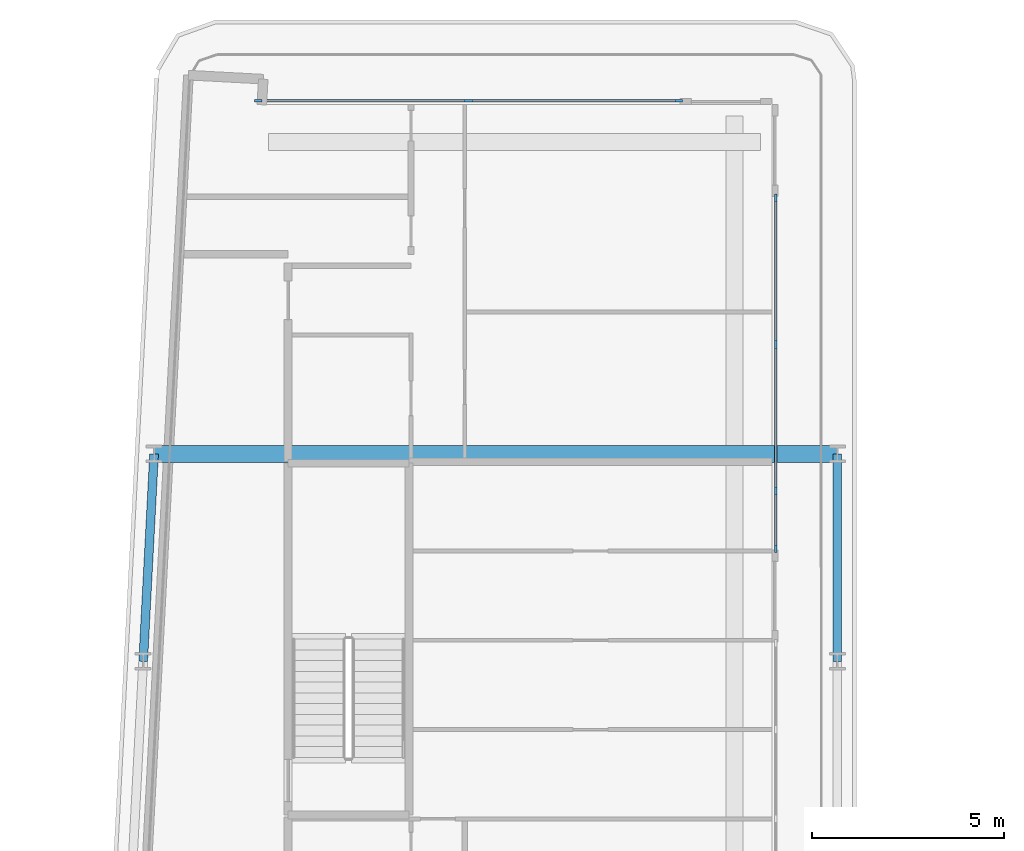
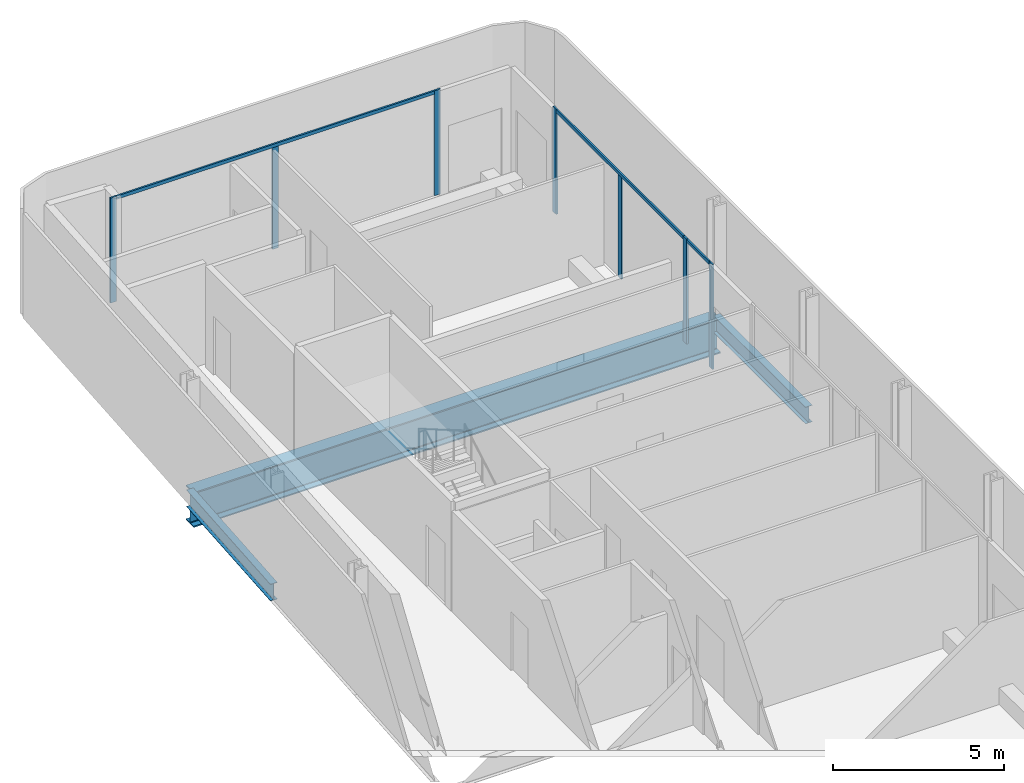
# One storey, part 9 of 28: 10 members, 3 beams, 3 elements without a shape of their own.
"""IFC4 building model written with IfcOpenShell, lengths in metres."""

from ifc_helpers import new_model, si_unit, direction, frame, origin, origin_2d, place, context, subcontext, project, spatial, rectangle, i_section, extrude, material, layer, layer_set, material_profile, profile_set, type_object, element, aggregate, save


model = new_model("IFC4")

# Units and contexts
model_context = context("Model", 3, precision=1e-05, world=origin(), true_north=direction((0.0, 1.0)))
body_context = subcontext(model_context, "Body", "Model", "MODEL_VIEW")
ifc_project = project(units=[si_unit("LENGTHUNIT", "METRE"), si_unit("AREAUNIT", "SQUARE_METRE"), si_unit("VOLUMEUNIT", "CUBIC_METRE"), si_unit("PLANEANGLEUNIT", "RADIAN"), si_unit("MASSUNIT", "GRAM", prefix="KILO")], contexts=[model_context])

# Site, building, storey
site_placement = place(None, origin())
site = spatial("IfcSite", under=ifc_project, at=site_placement, CompositionType="ELEMENT")
building_placement = place(site_placement, origin())
building = spatial("IfcBuilding", under=site, at=building_placement, Name="Kheshtan School and Residences Tower", CompositionType="ELEMENT")
storey_placement = place(building_placement, frame((0.0, 0.0, 129.199951171875)))
storey = spatial("IfcBuildingStorey", under=building, at=storey_placement, Name="L30", CompositionType="ELEMENT", Elevation=129.199951171875)

# Beams
ifc_material_1 = material(Name="Steel ASTM A992 Grade 50", Category="steel")
ifc_material_profile_1 = material_profile(ifc_material_1, i_section(OverallWidth=0.22802734375, OverallDepth=0.60302734375, WebThickness=0.010498046875, FlangeThickness=0.014892578125, FilletRadius=0.013427734375, at=origin_2d()), Name="W610x101")
ifc_profile_set_1 = profile_set([ifc_material_profile_1], Name="Steel ASTM A992 Grade 50")
beam_type_1 = type_object("IfcBeamType", Name="Beam SP2 W610x101 ASTM A992 Grade 50", PredefinedType="BEAM", material=ifc_profile_set_1)
beam_1_placement = place(storey_placement, frame((47.60009765625, 88.800048828125, -0.451416015625), z_axis=(0.0, -1.0, 0.0), x_axis=(1.0, 0.0, 0.0)))
element("IfcBeam", 1, at=beam_1_placement, inside=storey, type_object=beam_type_1, Name="Spandrel beam C099-C091", PredefinedType="BEAM", context=body_context, shape_type="SweptSolid", body=[
    extrude(i_section(OverallWidth=0.22802734375, OverallDepth=0.60302734375, WebThickness=0.010498046875, FlangeThickness=0.014892578125, FilletRadius=0.013427734375, at=origin_2d()), origin(), (0.0, 0.0, 1.0), 5.400146484375),
])
beam_2_placement = place(storey_placement, frame((29.527099609375, 83.39990234375, -0.451416015625), z_axis=(0.05250670125, 0.998620571751, 0.0), x_axis=(-0.998620571751, 0.05250670125, 0.0)))
element("IfcBeam", 2, at=beam_2_placement, inside=storey, type_object=beam_type_1, Name="Spandrel beam C090-C098", PredefinedType="BEAM", context=body_context, shape_type="SweptSolid", body=[
    extrude(i_section(OverallWidth=0.22802734375, OverallDepth=0.60302734375, WebThickness=0.010498046875, FlangeThickness=0.014892578125, FilletRadius=0.013427734375, at=origin_2d()), origin(), (0.0, 0.0, 1.0), 5.40771484375),
])

# Curtain wall, members
ifc_material_2 = material(Name="Clear low-e glass in thermally broken aluminium frame", Category="aluminium")
ifc_layer = layer(ifc_material_2, 0.199951171875)
ifc_layer_set = layer_set([ifc_layer], Name="Curtain wall CW-L")
curtain_wall_type = type_object("IfcCurtainWallType", Name="Curtain wall CW-L", PredefinedType="NOTDEFINED", material=ifc_layer_set)
curtain_wall_1_placement = place(storey_placement, origin())
curtain_wall_1 = element("IfcCurtainWall", 3, at=curtain_wall_1_placement, inside=storey, type_object=curtain_wall_type, Name="Curtain wall CWL7", PredefinedType="NOTDEFINED")
ifc_material_3 = material(Name="Thermally broken aluminium, dark bronze anodised", Category="aluminium")
ifc_material_profile_2 = material_profile(ifc_material_3, rectangle(XDim=0.06005859375, YDim=0.199951171875, at=origin_2d()), Name="CW-L mullion 60x200")
ifc_profile_set_2 = profile_set([ifc_material_profile_2], Name="Thermally broken aluminium, dark bronze anodised")
member_type_1 = type_object("IfcMemberType", Name="CW-L mullion 60x200", PredefinedType="MULLION", material=ifc_profile_set_2)
member_1_placement = place(storey_placement, frame((32.52197265625, 98.0, 0.0), z_axis=(0.0, 0.0, 1.0), x_axis=(0.0, 1.0, 0.0)))
member_1 = element("IfcMember", 4, at=member_1_placement, type_object=member_type_1, Name="CWL7 mullion 1", PredefinedType="MULLION", context=body_context, shape_type="SweptSolid", body=[
    extrude(rectangle(XDim=0.06005859375, YDim=0.199951171875, at=origin_2d()), origin(), (0.0, 0.0, 1.0), 3.75),
])
member_2_placement = place(storey_placement, frame((37.99609375, 98.0, 0.0), z_axis=(0.0, 0.0, 1.0), x_axis=(0.0, 1.0, 0.0)))
member_2 = element("IfcMember", 5, at=member_2_placement, type_object=member_type_1, Name="CWL7 mullion 2", PredefinedType="MULLION", context=body_context, shape_type="SweptSolid", body=[
    extrude(rectangle(XDim=0.06005859375, YDim=0.199951171875, at=origin_2d()), origin(), (0.0, 0.0, 1.0), 3.630126953125),
])
member_3_placement = place(storey_placement, frame((43.469970703125, 98.0, 0.0), z_axis=(0.0, 0.0, 1.0), x_axis=(0.0, 1.0, 0.0)))
member_3 = element("IfcMember", 6, at=member_3_placement, type_object=member_type_1, Name="CWL7 mullion 3", PredefinedType="MULLION", context=body_context, shape_type="SweptSolid", body=[
    extrude(rectangle(XDim=0.06005859375, YDim=0.199951171875, at=origin_2d()), origin(), (0.0, 0.0, 1.0), 3.75),
])

curtain_wall_2_placement = place(storey_placement, origin())
curtain_wall_2 = element("IfcCurtainWall", 7, at=curtain_wall_2_placement, inside=storey, type_object=curtain_wall_type, Name="Curtain wall CWL8", PredefinedType="NOTDEFINED")
member_4_placement = place(storey_placement, frame((46.0, 95.469970703125, 0.0), z_axis=(0.0, 0.0, 1.0), x_axis=(1.0, 0.0, 0.0)))
member_4 = element("IfcMember", 8, at=member_4_placement, type_object=member_type_1, Name="CWL8 mullion 1", PredefinedType="MULLION", context=body_context, shape_type="SweptSolid", body=[
    extrude(rectangle(XDim=0.06005859375, YDim=0.199951171875, at=origin_2d()), origin(), (0.0, 0.0, 1.0), 3.75),
])
member_5_placement = place(storey_placement, frame((46.0, 91.653076171875, 0.0), z_axis=(0.0, 0.0, 1.0), x_axis=(1.0, 0.0, 0.0)))
member_5 = element("IfcMember", 9, at=member_5_placement, type_object=member_type_1, Name="CWL8 mullion 2", PredefinedType="MULLION", context=body_context, shape_type="SweptSolid", body=[
    extrude(rectangle(XDim=0.06005859375, YDim=0.199951171875, at=origin_2d()), origin(), (0.0, 0.0, 1.0), 3.630126953125),
])
member_6_placement = place(storey_placement, frame((46.0, 87.8359375, 0.0), z_axis=(0.0, 0.0, 1.0), x_axis=(1.0, 0.0, 0.0)))
member_6 = element("IfcMember", 10, at=member_6_placement, type_object=member_type_1, Name="CWL8 mullion 3", PredefinedType="MULLION", context=body_context, shape_type="SweptSolid", body=[
    extrude(rectangle(XDim=0.06005859375, YDim=0.199951171875, at=origin_2d()), origin(), (0.0, 0.0, 1.0), 3.75),
])

# Curtain wall, member
curtain_wall_3_placement = place(storey_placement, origin())
curtain_wall_3 = element("IfcCurtainWall", 11, at=curtain_wall_3_placement, inside=storey, type_object=curtain_wall_type, Name="Curtain wall CWL8a", PredefinedType="NOTDEFINED")
member_7_placement = place(storey_placement, frame((46.0, 86.3359375, 0.0), z_axis=(0.0, 0.0, 1.0), x_axis=(1.0, 0.0, 0.0)))
member_7 = element("IfcMember", 12, at=member_7_placement, type_object=member_type_1, Name="CWL8a mullion 2", PredefinedType="MULLION", context=body_context, shape_type="SweptSolid", body=[
    extrude(rectangle(XDim=0.06005859375, YDim=0.199951171875, at=origin_2d()), origin(), (0.0, 0.0, 1.0), 3.75),
])

# Member
ifc_material_profile_3 = material_profile(ifc_material_3, rectangle(XDim=0.06005859375, YDim=0.1201171875, at=origin_2d()), Name="CW-L transom 60x120")
ifc_profile_set_3 = profile_set([ifc_material_profile_3], Name="Thermally broken aluminium, dark bronze anodised")
member_type_2 = type_object("IfcMemberType", Name="CW-L transom 60x120", PredefinedType="USERDEFINED", material=ifc_profile_set_3)
member_8_placement = place(storey_placement, frame((32.552001953125, 98.0, 3.68994140625), z_axis=(1.0, 0.0, 0.0), x_axis=(0.0, 1.0, 0.0)))
member_8 = element("IfcMember", 13, at=member_8_placement, type_object=member_type_2, Name="CWL7 transom 1", ObjectType="TRANSOM", PredefinedType="USERDEFINED", context=body_context, shape_type="SweptSolid", body=[
    extrude(rectangle(XDim=0.06005859375, YDim=0.1201171875, at=origin_2d()), origin(), (0.0, 0.0, 1.0), 10.887939453125),
])

aggregate(curtain_wall_1, [member_1, member_2, member_3, member_8])

member_9_placement = place(storey_placement, frame((46.0, 95.43994140625, 3.68994140625), z_axis=(0.0, -1.0, 0.0), x_axis=(1.0, 0.0, 0.0)))
member_9 = element("IfcMember", 14, at=member_9_placement, type_object=member_type_2, Name="CWL8 transom 1", ObjectType="TRANSOM", PredefinedType="USERDEFINED", context=body_context, shape_type="SweptSolid", body=[
    extrude(rectangle(XDim=0.06005859375, YDim=0.1201171875, at=origin_2d()), origin(), (0.0, 0.0, 1.0), 7.573974609375),
])

aggregate(curtain_wall_2, [member_4, member_5, member_6, member_9])

member_10_placement = place(storey_placement, frame((46.0, 87.805908203125, 3.68994140625), z_axis=(0.0, -1.0, 0.0), x_axis=(1.0, 0.0, 0.0)))
member_10 = element("IfcMember", 15, at=member_10_placement, type_object=member_type_2, Name="CWL8a transom 1", ObjectType="TRANSOM", PredefinedType="USERDEFINED", context=body_context, shape_type="SweptSolid", body=[
    extrude(rectangle(XDim=0.06005859375, YDim=0.1201171875, at=origin_2d()), origin(), (0.0, 0.0, 1.0), 1.43994140625),
])

aggregate(curtain_wall_3, [member_7, member_10])

# Beam
ifc_material_profile_4 = material_profile(ifc_material_1, i_section(OverallWidth=0.449951171875, OverallDepth=1.25, WebThickness=0.02490234375, FlangeThickness=0.044921875, FilletRadius=0.03759765625, at=origin_2d()), Name="WWF1250x546")
ifc_profile_set_4 = profile_set([ifc_material_profile_4], Name="Steel ASTM A992 Grade 50")
beam_type_2 = type_object("IfcBeamType", Name="Transfer girder TG4 WWF1250x546 ASTM A992 Grade 50", PredefinedType="BEAM", material=ifc_profile_set_4)
beam_3_placement = place(storey_placement, frame((29.81103515625, 88.800048828125, -0.77490234375), z_axis=(1.0, 0.0, 0.0), x_axis=(0.0, 1.0, 0.0)))
element("IfcBeam", 16, at=beam_3_placement, inside=storey, type_object=beam_type_2, Name="Transfer girder C098-C099", PredefinedType="BEAM", context=body_context, shape_type="SweptSolid", body=[
    extrude(i_section(OverallWidth=0.449951171875, OverallDepth=1.25, WebThickness=0.02490234375, FlangeThickness=0.044921875, FilletRadius=0.03759765625, at=origin_2d()), origin(), (0.0, 0.0, 1.0), 17.7890625),
])

save(model, "model.ifc")
